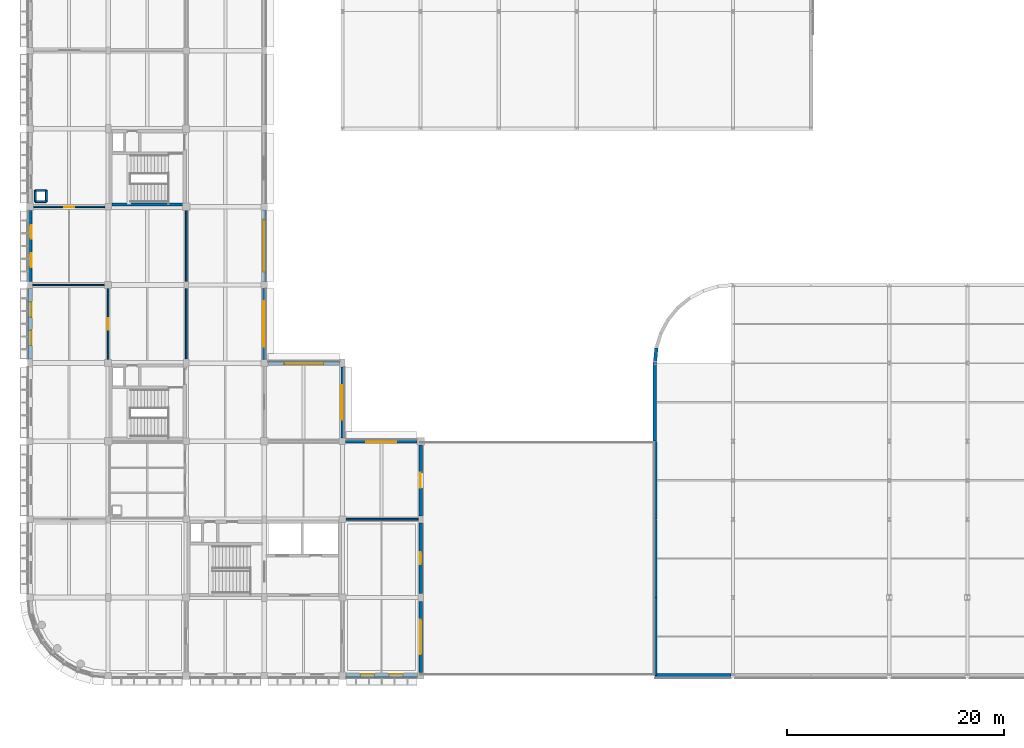
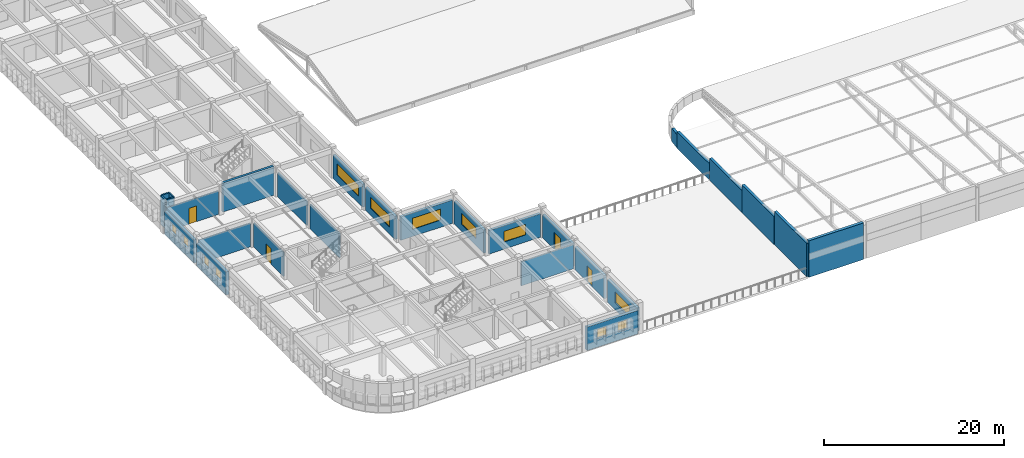
# One storey, part 82 of 103: 28 walls, 12 windows, 4 doors, 16 openings.
"""IFC4 building model written with IfcOpenShell, lengths in metres."""

from ifc_helpers import new_model, si_unit, direction, frame, frame_2d, origin, place, context, subcontext, project, spatial, rectangle, extrude, material, layer, layer_set, type_object, element, fill, save


model = new_model("IFC4")

# Units and contexts
model_context = context("Model", 3, precision=1e-05, world=origin(), true_north=direction((0.0, 1.0)))
body_context = subcontext(model_context, "Body", "Model", "MODEL_VIEW")
ifc_project = project(units=[si_unit("LENGTHUNIT", "METRE"), si_unit("AREAUNIT", "SQUARE_METRE"), si_unit("VOLUMEUNIT", "CUBIC_METRE"), si_unit("PLANEANGLEUNIT", "RADIAN"), si_unit("MASSUNIT", "GRAM", prefix="KILO")], contexts=[model_context])

# Site, building, storey
site_placement = place(None, origin())
site = spatial("IfcSite", under=ifc_project, at=site_placement, CompositionType="ELEMENT")
building_placement = place(site_placement, origin())
building = spatial("IfcBuilding", under=site, at=building_placement, Name="Thalmaran Polytechnic", CompositionType="ELEMENT")
storey_placement = place(building_placement, frame((0.0, 0.0, 14.39990234375)))
storey = spatial("IfcBuildingStorey", under=building, at=storey_placement, Name="L03", CompositionType="ELEMENT", Elevation=14.39990234375)

# Walls
ifc_material_1 = material(Name="Precast concrete C40/50", Category="concrete")
ifc_layer_1 = layer(ifc_material_1, 0.360107421875, Name="Precast concrete C40/50")
ifc_layer_set_1 = layer_set([ifc_layer_1], Name="Precast concrete C40/50")
wall_type_1 = type_object("IfcWallType", Name="WL-EW01", PredefinedType="STANDARD", material=ifc_layer_set_1)
wall_1_placement = place(storey_placement, frame((57.610107421875, 0.0, -0.02001953125), z_axis=(0.0, 0.0, 1.0), x_axis=(1.0, 0.0, 0.0)))
element("IfcWall", 1, at=wall_1_placement, inside=storey, type_object=wall_type_1, Name="Lecture Auditorium Acoustic South Wall 08", PredefinedType="STANDARD", context=body_context, shape_type="SweptSolid", body=[
    extrude(rectangle(XDim=6.989990234375, YDim=0.3798828125, at=frame_2d((3.4951171875, 0.0))), origin(), (0.0, 0.0, 1.0), 4.9501953125),
])
wall_2_placement = place(storey_placement, frame((57.60009765625, 7.18994140625, 0.0), z_axis=(0.0, 0.0, 1.0), x_axis=(0.0, -1.0, 0.0)))
element("IfcWall", 2, at=wall_2_placement, inside=storey, type_object=wall_type_1, Name="Lecture Auditorium West Raked Cheek Wall 00", PredefinedType="STANDARD", context=body_context, shape_type="SweptSolid", body=[
    extrude(rectangle(XDim=7.179931640625, YDim=0.340087890625, at=frame_2d((3.58984375, 0.0))), origin(), (0.0, 0.0, 1.0), 4.525146484375),
])
wall_3_placement = place(storey_placement, frame((57.60009765625, 14.389892578125, 0.0), z_axis=(0.0, 0.0, 1.0), x_axis=(0.0, -1.0, 0.0)))
element("IfcWall", 3, at=wall_3_placement, inside=storey, type_object=wall_type_1, Name="Lecture Auditorium West Raked Cheek Wall 01", PredefinedType="STANDARD", context=body_context, shape_type="SweptSolid", body=[
    extrude(rectangle(XDim=7.179931640625, YDim=0.340087890625, at=frame_2d((3.58984375, 0.0))), origin(), (0.0, 0.0, 1.0), 3.755126953125),
])
wall_4_placement = place(storey_placement, frame((57.60009765625, 21.590087890625, 0.0), z_axis=(0.0, 0.0, 1.0), x_axis=(0.0, -1.0, 0.0)))
element("IfcWall", 4, at=wall_4_placement, inside=storey, type_object=wall_type_1, Name="Lecture Auditorium West Raked Cheek Wall 02", PredefinedType="STANDARD", context=body_context, shape_type="SweptSolid", body=[
    extrude(rectangle(XDim=7.18017578125, YDim=0.340087890625, at=frame_2d((3.590087890625, 0.0))), origin(), (0.0, 0.0, 1.0), 2.985107421875),
])

# Wall, openings, windows
wall_5_placement = place(storey_placement, frame((0.0, 29.175048828125, 0.0), z_axis=(0.0, 0.0, 1.0), x_axis=(0.0, 1.0, 0.0)))
wall_5 = element("IfcWall", 5, at=wall_5_placement, inside=storey, type_object=wall_type_1, Name="Exterior Precast Facade Wall L03-033", PredefinedType="STANDARD", context=body_context, shape_type="SweptSolid", body=[
    extrude(rectangle(XDim=6.5048828125, YDim=0.360107421875, at=frame_2d((3.25244140625, 0.0))), origin(), (0.0, 0.0, 1.0), 3.135009765625),
])
opening_1_placement = place(wall_5_placement, frame((1.25146484375, 0.0, 1.14990234375)))
opening_1 = element("IfcOpeningElement", 6, at=opening_1_placement, cuts=wall_5, Name="Opening VW10", PredefinedType="OPENING", context=body_context, shape_type="SweptSolid", body=[
    extrude(rectangle(XDim=1.39990234375, YDim=1.300048828125, at=frame_2d((0.699951171875, 0.64990234375))), frame((0.0, 0.18994140625, 0.0), z_axis=(0.0, -1.0, 0.0), x_axis=(1.0, 0.0, 0.0)), (0.0, 0.0, 1.0), 0.380126953125),
])
opening_2_placement = place(wall_5_placement, frame((3.853515625, 0.0, 1.14990234375)))
opening_2 = element("IfcOpeningElement", 7, at=opening_2_placement, cuts=wall_5, Name="Opening VW10", PredefinedType="OPENING", context=body_context, shape_type="SweptSolid", body=[
    extrude(rectangle(XDim=1.39990234375, YDim=1.300048828125, at=frame_2d((0.699951171875, 0.64990234375))), frame((0.0, 0.18994140625, 0.0), z_axis=(0.0, -1.0, 0.0), x_axis=(1.0, 0.0, 0.0)), (0.0, 0.0, 1.0), 0.380126953125),
])
ifc_material_2 = material(Name="Thermally broken aluminium and double low-E glass", Category="aluminium")
window_type_1 = type_object("IfcWindowType", Name="WN-VZ10", PartitioningType="SINGLE_PANEL", PredefinedType="WINDOW", material=ifc_material_2)
window_1_placement = place(opening_1_placement, origin())
window_1 = element("IfcWindow", 8, at=window_1_placement, inside=storey, type_object=window_type_1, Name="Deep-Set Solar-Screened Window W-0426", OverallHeight=1.300048828125, OverallWidth=1.39990234375, PartitioningType="SINGLE_PANEL", PredefinedType="WINDOW", context=body_context, shape_type="SweptSolid", body=[
    extrude(rectangle(XDim=1.39990234375, YDim=1.300048828125, at=frame_2d((0.699951171875, 0.64990234375))), frame((0.0, -0.080078125, 0.0), z_axis=(0.0, -1.0, 0.0), x_axis=(1.0, 0.0, 0.0)), (0.0, 0.0, 1.0), 0.06005859375),
])
fill(opening_1, window_1)
window_2_placement = place(opening_2_placement, origin())
window_2 = element("IfcWindow", 9, at=window_2_placement, inside=storey, type_object=window_type_1, Name="Deep-Set Solar-Screened Window W-0427", OverallHeight=1.300048828125, OverallWidth=1.39990234375, PartitioningType="SINGLE_PANEL", PredefinedType="WINDOW", context=body_context, shape_type="SweptSolid", body=[
    extrude(rectangle(XDim=1.39990234375, YDim=1.300048828125, at=frame_2d((0.699951171875, 0.64990234375))), frame((0.0, -0.080078125, 0.0), z_axis=(0.0, -1.0, 0.0), x_axis=(1.0, 0.0, 0.0)), (0.0, 0.0, 1.0), 0.06005859375),
])
fill(opening_2, window_2)

wall_6_placement = place(storey_placement, frame((0.0, 36.320068359375, 0.0), z_axis=(0.0, 0.0, 1.0), x_axis=(0.0, 1.0, 0.0)))
wall_6 = element("IfcWall", 10, at=wall_6_placement, inside=storey, type_object=wall_type_1, Name="Exterior Precast Facade Wall L03-034", PredefinedType="STANDARD", context=body_context, shape_type="SweptSolid", body=[
    extrude(rectangle(XDim=6.5400390625, YDim=0.360107421875, at=frame_2d((3.27001953125, 0.0))), origin(), (0.0, 0.0, 1.0), 3.135009765625),
])
opening_3_placement = place(wall_6_placement, frame((1.3369140625, 0.0, 1.14990234375)))
opening_3 = element("IfcOpeningElement", 11, at=opening_3_placement, cuts=wall_6, Name="Opening VW11", PredefinedType="OPENING", context=body_context, shape_type="SweptSolid", body=[
    extrude(rectangle(XDim=1.25, YDim=1.25, at=frame_2d((0.625, 0.625))), frame((0.0, 0.18994140625, 0.0), z_axis=(0.0, -1.0, 0.0), x_axis=(1.0, 0.0, 0.0)), (0.0, 0.0, 1.0), 0.380126953125),
])
opening_4_placement = place(wall_6_placement, frame((3.952880859375, 0.0, 1.14990234375)))
opening_4 = element("IfcOpeningElement", 12, at=opening_4_placement, cuts=wall_6, Name="Opening VW11", PredefinedType="OPENING", context=body_context, shape_type="SweptSolid", body=[
    extrude(rectangle(XDim=1.25, YDim=1.25, at=frame_2d((0.625, 0.625))), frame((0.0, 0.18994140625, 0.0), z_axis=(0.0, -1.0, 0.0), x_axis=(1.0, 0.0, 0.0)), (0.0, 0.0, 1.0), 0.380126953125),
])
window_type_2 = type_object("IfcWindowType", Name="WN-VZ11", PartitioningType="SINGLE_PANEL", PredefinedType="WINDOW", material=ifc_material_2)
window_3_placement = place(opening_3_placement, origin())
window_3 = element("IfcWindow", 13, at=window_3_placement, inside=storey, type_object=window_type_2, Name="Deep-Set Solar-Screened Window W-0428", OverallHeight=1.25, OverallWidth=1.25, PartitioningType="SINGLE_PANEL", PredefinedType="WINDOW", context=body_context, shape_type="SweptSolid", body=[
    extrude(rectangle(XDim=1.25, YDim=1.25, at=frame_2d((0.625, 0.625))), frame((0.0, -0.080078125, 0.0), z_axis=(0.0, -1.0, 0.0), x_axis=(1.0, 0.0, 0.0)), (0.0, 0.0, 1.0), 0.06005859375),
])
fill(opening_3, window_3)
window_4_placement = place(opening_4_placement, origin())
window_4 = element("IfcWindow", 14, at=window_4_placement, inside=storey, type_object=window_type_2, Name="Deep-Set Solar-Screened Window W-0429", OverallHeight=1.25, OverallWidth=1.25, PartitioningType="SINGLE_PANEL", PredefinedType="WINDOW", context=body_context, shape_type="SweptSolid", body=[
    extrude(rectangle(XDim=1.25, YDim=1.25, at=frame_2d((0.625, 0.625))), frame((0.0, -0.080078125, 0.0), z_axis=(0.0, -1.0, 0.0), x_axis=(1.0, 0.0, 0.0)), (0.0, 0.0, 1.0), 0.06005859375),
])
fill(opening_4, window_4)

wall_7_placement = place(storey_placement, frame((35.699951171875, 0.0, 0.0), z_axis=(0.0, 0.0, 1.0), x_axis=(-1.0, 0.0, 0.0)))
wall_7 = element("IfcWall", 15, at=wall_7_placement, inside=storey, type_object=wall_type_1, Name="Exterior Precast Facade Wall L03-104", PredefinedType="STANDARD", context=body_context, shape_type="SweptSolid", body=[
    extrude(rectangle(XDim=6.56005859375, YDim=0.360107421875, at=frame_2d((3.280029296875, 0.0))), origin(), (0.0, 0.0, 1.0), 3.18505859375),
])
opening_5_placement = place(wall_7_placement, frame((1.343017578125, 0.0, 1.14990234375)))
opening_5 = element("IfcOpeningElement", 16, at=opening_5_placement, cuts=wall_7, Name="Opening VW11", PredefinedType="OPENING", context=body_context, shape_type="SweptSolid", body=[
    extrude(rectangle(XDim=1.25, YDim=1.25, at=frame_2d((0.625, 0.625))), frame((0.0, 0.18994140625, 0.0), z_axis=(0.0, -1.0, 0.0), x_axis=(1.0, 0.0, 0.0)), (0.0, 0.0, 1.0), 0.380126953125),
])
opening_6_placement = place(wall_7_placement, frame((3.967041015625, 0.0, 1.14990234375)))
opening_6 = element("IfcOpeningElement", 17, at=opening_6_placement, cuts=wall_7, Name="Opening VW11", PredefinedType="OPENING", context=body_context, shape_type="SweptSolid", body=[
    extrude(rectangle(XDim=1.25, YDim=1.25, at=frame_2d((0.625, 0.625))), frame((0.0, 0.18994140625, 0.0), z_axis=(0.0, -1.0, 0.0), x_axis=(1.0, 0.0, 0.0)), (0.0, 0.0, 1.0), 0.380126953125),
])
window_5_placement = place(opening_5_placement, origin())
window_5 = element("IfcWindow", 18, at=window_5_placement, inside=storey, type_object=window_type_2, Name="Deep-Set Solar-Screened Window W-0517", OverallHeight=1.25, OverallWidth=1.25, PartitioningType="SINGLE_PANEL", PredefinedType="WINDOW", context=body_context, shape_type="SweptSolid", body=[
    extrude(rectangle(XDim=1.25, YDim=1.25, at=frame_2d((0.625, 0.625))), frame((0.0, -0.080078125, 0.0), z_axis=(0.0, -1.0, 0.0), x_axis=(1.0, 0.0, 0.0)), (0.0, 0.0, 1.0), 0.06005859375),
])
fill(opening_5, window_5)
window_6_placement = place(opening_6_placement, origin())
window_6 = element("IfcWindow", 19, at=window_6_placement, inside=storey, type_object=window_type_2, Name="Deep-Set Solar-Screened Window W-0518", OverallHeight=1.25, OverallWidth=1.25, PartitioningType="SINGLE_PANEL", PredefinedType="WINDOW", context=body_context, shape_type="SweptSolid", body=[
    extrude(rectangle(XDim=1.25, YDim=1.25, at=frame_2d((0.625, 0.625))), frame((0.0, -0.080078125, 0.0), z_axis=(0.0, -1.0, 0.0), x_axis=(1.0, 0.0, 0.0)), (0.0, 0.0, 1.0), 0.06005859375),
])
fill(opening_6, window_6)

# Walls
ifc_layer_2 = layer(ifc_material_1, 0.330078125, Name="Precast concrete C40/50")
ifc_layer_set_2 = layer_set([ifc_layer_2], Name="Precast concrete C40/50")
wall_type_2 = type_object("IfcWallType", Name="WL-EW02", PredefinedType="STANDARD", material=ifc_layer_set_2)
wall_8_placement = place(storey_placement, frame((57.60009765625, 28.800048828125, -0.02001953125), z_axis=(0.0, 0.0, 1.0), x_axis=(0.097910739351, 0.995195200511, 0.0)))
element("IfcWall", 20, at=wall_8_placement, inside=storey, type_object=wall_type_2, Name="Lecture Auditorium Curved Corner Wall 8", PredefinedType="STANDARD", context=body_context, shape_type="SweptSolid", body=[
    extrude(rectangle(XDim=1.411376953125, YDim=0.320068359375, at=frame_2d((0.70556640625, 0.0))), origin(), (0.0, 0.0, 1.0), 1.794921875),
])
wall_9_placement = place(storey_placement, frame((57.60009765625, 28.7900390625, -0.02001953125), z_axis=(0.0, 0.0, 1.0), x_axis=(0.0, -1.0, 0.0)))
element("IfcWall", 21, at=wall_9_placement, inside=storey, type_object=wall_type_2, Name="Lecture Auditorium Raked West Cheek Wall 03", PredefinedType="STANDARD", context=body_context, shape_type="SweptSolid", body=[
    extrude(rectangle(XDim=7.179931640625, YDim=0.320068359375, at=frame_2d((3.58984375, 0.0))), origin(), (0.0, 0.0, 1.0), 2.235107421875),
])

# Wall, opening, door
wall_10_placement = place(storey_placement, frame((36.0, 21.260009765625, 0.0), z_axis=(0.0, 0.0, 1.0), x_axis=(0.0, -1.0, 0.0)))
wall_10 = element("IfcWall", 22, at=wall_10_placement, inside=storey, type_object=wall_type_2, Name="Terrace Access Wall L03-101", PredefinedType="STANDARD", context=body_context, shape_type="SweptSolid", body=[
    extrude(rectangle(XDim=6.5400390625, YDim=0.330078125, at=frame_2d((3.27001953125, 0.0))), origin(), (0.0, 0.0, 1.0), 3.135009765625),
])
opening_7_placement = place(wall_10_placement, frame((2.570068359375, 0.0, 0.0)))
opening_7 = element("IfcOpeningElement", 23, at=opening_7_placement, cuts=wall_10, Name="Opening TD-007", PredefinedType="OPENING", context=body_context, shape_type="SweptSolid", body=[
    extrude(rectangle(XDim=1.39990234375, YDim=2.25, at=frame_2d((0.699951171875, 1.125))), frame((0.0, 0.175048828125, 0.0), z_axis=(0.0, -1.0, 0.0), x_axis=(1.0, 0.0, 0.0)), (0.0, 0.0, 1.0), 0.35009765625),
])
ifc_material_3 = material(Name="Anodised aluminium and safety glass", Category="aluminium")
door_type_1 = type_object("IfcDoorType", Name="DR-TD01", OperationType="NOTDEFINED", PredefinedType="DOOR", material=ifc_material_3)
door_1_placement = place(opening_7_placement, origin())
door_1 = element("IfcDoor", 24, at=door_1_placement, inside=storey, type_object=door_type_1, Name="Terrace Access Door TD-007", OperationType="SINGLE_SWING_LEFT", OverallHeight=2.25, OverallWidth=1.39990234375, PredefinedType="DOOR", context=body_context, shape_type="SweptSolid", body=[
    extrude(rectangle(XDim=1.39990234375, YDim=2.25, at=frame_2d((0.699951171875, 1.125))), frame((0.0, 0.02490234375, 0.0), z_axis=(0.0, -1.0, 0.0), x_axis=(1.0, 0.0, 0.0)), (0.0, 0.0, 1.0), 0.050048828125),
])
fill(opening_7, door_1)

wall_11_placement = place(storey_placement, frame((36.0, 14.080078125, 0.0), z_axis=(0.0, 0.0, 1.0), x_axis=(0.0, -1.0, 0.0)))
wall_11 = element("IfcWall", 25, at=wall_11_placement, inside=storey, type_object=wall_type_2, Name="Terrace Access Wall L03-102", PredefinedType="STANDARD", context=body_context, shape_type="SweptSolid", body=[
    extrude(rectangle(XDim=6.505126953125, YDim=0.330078125, at=frame_2d((3.25244140625, 0.0))), origin(), (0.0, 0.0, 1.0), 3.135009765625),
])
opening_8_placement = place(wall_11_placement, frame((2.702392578125, 0.0, 0.0)))
opening_8 = element("IfcOpeningElement", 26, at=opening_8_placement, cuts=wall_11, Name="Opening TD-008", PredefinedType="OPENING", context=body_context, shape_type="SweptSolid", body=[
    extrude(rectangle(XDim=1.10009765625, YDim=2.199951171875, at=frame_2d((0.550048828125, 1.10009765625))), frame((0.0, 0.175048828125, 0.0), z_axis=(0.0, -1.0, 0.0), x_axis=(1.0, 0.0, 0.0)), (0.0, 0.0, 1.0), 0.35009765625),
])
door_type_2 = type_object("IfcDoorType", Name="DR-TD02", OperationType="NOTDEFINED", PredefinedType="DOOR", material=ifc_material_3)
door_2_placement = place(opening_8_placement, origin())
door_2 = element("IfcDoor", 27, at=door_2_placement, inside=storey, type_object=door_type_2, Name="Terrace Access Door TD-008", OperationType="SINGLE_SWING_RIGHT", OverallHeight=2.199951171875, OverallWidth=1.10009765625, PredefinedType="DOOR", context=body_context, shape_type="SweptSolid", body=[
    extrude(rectangle(XDim=1.10009765625, YDim=2.199951171875, at=frame_2d((0.550048828125, 1.10009765625))), frame((0.0, 0.02490234375, 0.0), z_axis=(0.0, -1.0, 0.0), x_axis=(1.0, 0.0, 0.0)), (0.0, 0.0, 1.0), 0.050048828125),
])
fill(opening_8, door_2)

# Wall, opening, window
wall_12_placement = place(storey_placement, frame((36.0, 6.824951171875, 0.0), z_axis=(0.0, 0.0, 1.0), x_axis=(0.0, -1.0, 0.0)))
wall_12 = element("IfcWall", 28, at=wall_12_placement, inside=storey, type_object=wall_type_2, Name="Terrace Access Wall L03-103", PredefinedType="STANDARD", context=body_context, shape_type="SweptSolid", body=[
    extrude(rectangle(XDim=6.52490234375, YDim=0.330078125, at=frame_2d((3.262451171875, 0.0))), origin(), (0.0, 0.0, 1.0), 3.135009765625),
])
opening_9_placement = place(wall_12_placement, frame((1.66259765625, 0.0, 0.949951171875)))
opening_9 = element("IfcOpeningElement", 29, at=opening_9_placement, cuts=wall_12, Name="Opening RW04", PredefinedType="OPENING", context=body_context, shape_type="SweptSolid", body=[
    extrude(rectangle(XDim=3.199951171875, YDim=1.449951171875, at=frame_2d((1.60009765625, 0.72509765625))), frame((0.0, 0.175048828125, 0.0), z_axis=(0.0, -1.0, 0.0), x_axis=(1.0, 0.0, 0.0)), (0.0, 0.0, 1.0), 0.35009765625),
])
window_type_3 = type_object("IfcWindowType", Name="WN-RW04", PartitioningType="DOUBLE_PANEL_VERTICAL", PredefinedType="WINDOW", material=ifc_material_2)
window_7_placement = place(opening_9_placement, origin())
window_7 = element("IfcWindow", 30, at=window_7_placement, inside=storey, type_object=window_type_3, Name="Terrace Ribbon Window W-0516", OverallHeight=1.449951171875, OverallWidth=3.199951171875, PartitioningType="SINGLE_PANEL", PredefinedType="WINDOW", context=body_context, shape_type="SweptSolid", body=[
    extrude(rectangle(XDim=3.199951171875, YDim=1.449951171875, at=frame_2d((1.60009765625, 0.72509765625))), frame((0.0, 0.030029296875, 0.0), z_axis=(0.0, -1.0, 0.0), x_axis=(1.0, 0.0, 0.0)), (0.0, 0.0, 1.0), 0.06005859375),
])
fill(opening_9, window_7)

ifc_layer_3 = layer(ifc_material_1, 0.31005859375, Name="Precast concrete C40/50")
ifc_layer_set_3 = layer_set([ifc_layer_3], Name="Precast concrete C40/50")
wall_type_3 = type_object("IfcWallType", Name="WL-EW03", PredefinedType="STANDARD", material=ifc_layer_set_3)
wall_13_placement = place(storey_placement, frame((21.60009765625, 42.89990234375, 0.0), z_axis=(0.0, 0.0, 1.0), x_axis=(0.0, -1.0, 0.0)))
wall_13 = element("IfcWall", 31, at=wall_13_placement, inside=storey, type_object=wall_type_3, Name="Exterior Precast Facade Wall L03-096", PredefinedType="STANDARD", context=body_context, shape_type="SweptSolid", body=[
    extrude(rectangle(XDim=6.58984375, YDim=0.31005859375, at=frame_2d((3.294921875, 0.0))), origin(), (0.0, 0.0, 1.0), 3.135009765625),
])
opening_10_placement = place(wall_13_placement, frame((0.89501953125, 0.0, 0.97998046875)))
opening_10 = element("IfcOpeningElement", 32, at=opening_10_placement, cuts=wall_13, Name="Opening RW01", PredefinedType="OPENING", context=body_context, shape_type="SweptSolid", body=[
    extrude(rectangle(XDim=4.800048828125, YDim=1.5, at=frame_2d((2.39990234375, 0.75))), frame((0.0, 0.1650390625, 0.0), z_axis=(0.0, -1.0, 0.0), x_axis=(1.0, 0.0, 0.0)), (0.0, 0.0, 1.0), 0.330078125),
])
window_type_4 = type_object("IfcWindowType", Name="WN-RW01", PartitioningType="TRIPLE_PANEL_HORIZONTAL", PredefinedType="WINDOW", material=ifc_material_2)
window_8_placement = place(opening_10_placement, origin())
window_8 = element("IfcWindow", 33, at=window_8_placement, inside=storey, type_object=window_type_4, Name="Streamline Ribbon Window W-0511", OverallHeight=1.5, OverallWidth=4.800048828125, PartitioningType="SINGLE_PANEL", PredefinedType="WINDOW", context=body_context, shape_type="SweptSolid", body=[
    extrude(rectangle(XDim=4.800048828125, YDim=1.5, at=frame_2d((2.39990234375, 0.75))), frame((0.0, -0.030029296875, 0.0), z_axis=(0.0, -1.0, 0.0), x_axis=(1.0, 0.0, 0.0)), (0.0, 0.0, 1.0), 0.06005859375),
])
fill(opening_10, window_8)

wall_14_placement = place(storey_placement, frame((21.60009765625, 35.68994140625, 0.0), z_axis=(0.0, 0.0, 1.0), x_axis=(0.0, -1.0, 0.0)))
wall_14 = element("IfcWall", 34, at=wall_14_placement, inside=storey, type_object=wall_type_3, Name="Exterior Precast Facade Wall L03-097", PredefinedType="STANDARD", context=body_context, shape_type="SweptSolid", body=[
    extrude(rectangle(XDim=6.56494140625, YDim=0.31005859375, at=frame_2d((3.282470703125, 0.0))), origin(), (0.0, 0.0, 1.0), 3.135009765625),
])
opening_11_placement = place(wall_14_placement, frame((1.1826171875, 0.0, 0.97998046875)))
opening_11 = element("IfcOpeningElement", 35, at=opening_11_placement, cuts=wall_14, Name="Opening RW02", PredefinedType="OPENING", context=body_context, shape_type="SweptSolid", body=[
    extrude(rectangle(XDim=4.199951171875, YDim=1.5, at=frame_2d((2.10009765625, 0.75))), frame((0.0, 0.1650390625, 0.0), z_axis=(0.0, -1.0, 0.0), x_axis=(1.0, 0.0, 0.0)), (0.0, 0.0, 1.0), 0.330078125),
])
window_type_5 = type_object("IfcWindowType", Name="WN-RW02", PartitioningType="TRIPLE_PANEL_HORIZONTAL", PredefinedType="WINDOW", material=ifc_material_2)
window_9_placement = place(opening_11_placement, origin())
window_9 = element("IfcWindow", 36, at=window_9_placement, inside=storey, type_object=window_type_5, Name="Streamline Ribbon Window W-0512", OverallHeight=1.5, OverallWidth=4.199951171875, PartitioningType="SINGLE_PANEL", PredefinedType="WINDOW", context=body_context, shape_type="SweptSolid", body=[
    extrude(rectangle(XDim=4.199951171875, YDim=1.5, at=frame_2d((2.10009765625, 0.75))), frame((0.0, -0.030029296875, 0.0), z_axis=(0.0, -1.0, 0.0), x_axis=(1.0, 0.0, 0.0)), (0.0, 0.0, 1.0), 0.06005859375),
])
fill(opening_11, window_9)

wall_15_placement = place(storey_placement, frame((21.925048828125, 28.800048828125, 0.0), z_axis=(0.0, 0.0, 1.0), x_axis=(1.0, 0.0, 0.0)))
wall_15 = element("IfcWall", 37, at=wall_15_placement, inside=storey, type_object=wall_type_3, Name="Exterior Precast Facade Wall L03-098", PredefinedType="STANDARD", context=body_context, shape_type="SweptSolid", body=[
    extrude(rectangle(XDim=6.625, YDim=0.31005859375, at=frame_2d((3.3125, 0.0))), origin(), (0.0, 0.0, 1.0), 3.18505859375),
])
opening_12_placement = place(wall_15_placement, frame((1.512451171875, 0.0, 0.97998046875)))
opening_12 = element("IfcOpeningElement", 38, at=opening_12_placement, cuts=wall_15, Name="Opening RW03", PredefinedType="OPENING", context=body_context, shape_type="SweptSolid", body=[
    extrude(rectangle(XDim=3.60009765625, YDim=1.5, at=frame_2d((1.800048828125, 0.75))), frame((0.0, 0.1650390625, 0.0), z_axis=(0.0, -1.0, 0.0), x_axis=(1.0, 0.0, 0.0)), (0.0, 0.0, 1.0), 0.330078125),
])
window_type_6 = type_object("IfcWindowType", Name="WN-RW03", PartitioningType="DOUBLE_PANEL_VERTICAL", PredefinedType="WINDOW", material=ifc_material_2)
window_10_placement = place(opening_12_placement, origin())
window_10 = element("IfcWindow", 39, at=window_10_placement, inside=storey, type_object=window_type_6, Name="Streamline Ribbon Window W-0513", OverallHeight=1.5, OverallWidth=3.60009765625, PartitioningType="SINGLE_PANEL", PredefinedType="WINDOW", context=body_context, shape_type="SweptSolid", body=[
    extrude(rectangle(XDim=3.60009765625, YDim=1.5, at=frame_2d((1.800048828125, 0.75))), frame((0.0, -0.030029296875, 0.0), z_axis=(0.0, -1.0, 0.0), x_axis=(1.0, 0.0, 0.0)), (0.0, 0.0, 1.0), 0.06005859375),
])
fill(opening_12, window_10)

wall_16_placement = place(storey_placement, frame((28.800048828125, 28.425048828125, 0.0), z_axis=(0.0, 0.0, 1.0), x_axis=(0.0, -1.0, 0.0)))
wall_16 = element("IfcWall", 40, at=wall_16_placement, inside=storey, type_object=wall_type_3, Name="Exterior Precast Facade Wall L03-099", PredefinedType="STANDARD", context=body_context, shape_type="SweptSolid", body=[
    extrude(rectangle(XDim=6.525146484375, YDim=0.31005859375, at=frame_2d((3.2626953125, 0.0))), origin(), (0.0, 0.0, 1.0), 3.135009765625),
])
opening_13_placement = place(wall_16_placement, frame((1.66259765625, 0.0, 0.97998046875)))
opening_13 = element("IfcOpeningElement", 41, at=opening_13_placement, cuts=wall_16, Name="Opening RW04", PredefinedType="OPENING", context=body_context, shape_type="SweptSolid", body=[
    extrude(rectangle(XDim=3.199951171875, YDim=1.449951171875, at=frame_2d((1.60009765625, 0.72509765625))), frame((0.0, 0.1650390625, 0.0), z_axis=(0.0, -1.0, 0.0), x_axis=(1.0, 0.0, 0.0)), (0.0, 0.0, 1.0), 0.330078125),
])
window_11_placement = place(opening_13_placement, origin())
window_11 = element("IfcWindow", 42, at=window_11_placement, inside=storey, type_object=window_type_3, Name="Streamline Ribbon Window W-0514", OverallHeight=1.449951171875, OverallWidth=3.199951171875, PartitioningType="SINGLE_PANEL", PredefinedType="WINDOW", context=body_context, shape_type="SweptSolid", body=[
    extrude(rectangle(XDim=3.199951171875, YDim=1.449951171875, at=frame_2d((1.60009765625, 0.72509765625))), frame((0.0, -0.030029296875, 0.0), z_axis=(0.0, -1.0, 0.0), x_axis=(1.0, 0.0, 0.0)), (0.0, 0.0, 1.0), 0.06005859375),
])
fill(opening_13, window_11)

wall_17_placement = place(storey_placement, frame((29.10009765625, 21.60009765625, 0.0), z_axis=(0.0, 0.0, 1.0), x_axis=(1.0, 0.0, 0.0)))
wall_17 = element("IfcWall", 43, at=wall_17_placement, inside=storey, type_object=wall_type_3, Name="Exterior Precast Facade Wall L03-100", PredefinedType="STANDARD", context=body_context, shape_type="SweptSolid", body=[
    extrude(rectangle(XDim=6.559814453125, YDim=0.31005859375, at=frame_2d((3.27978515625, 0.0))), origin(), (0.0, 0.0, 1.0), 3.18505859375),
])
opening_14_placement = place(wall_17_placement, frame((1.8798828125, 0.0, 0.97998046875)))
opening_14 = element("IfcOpeningElement", 44, at=opening_14_placement, cuts=wall_17, Name="Opening RW05", PredefinedType="OPENING", context=body_context, shape_type="SweptSolid", body=[
    extrude(rectangle(XDim=2.800048828125, YDim=1.449951171875, at=frame_2d((1.39990234375, 0.72509765625))), frame((0.0, 0.1650390625, 0.0), z_axis=(0.0, -1.0, 0.0), x_axis=(1.0, 0.0, 0.0)), (0.0, 0.0, 1.0), 0.330078125),
])
window_type_7 = type_object("IfcWindowType", Name="WN-RW05", PartitioningType="DOUBLE_PANEL_VERTICAL", PredefinedType="WINDOW", material=ifc_material_2)
window_12_placement = place(opening_14_placement, origin())
window_12 = element("IfcWindow", 45, at=window_12_placement, inside=storey, type_object=window_type_7, Name="Streamline Ribbon Window W-0515", OverallHeight=1.449951171875, OverallWidth=2.800048828125, PartitioningType="SINGLE_PANEL", PredefinedType="WINDOW", context=body_context, shape_type="SweptSolid", body=[
    extrude(rectangle(XDim=2.800048828125, YDim=1.449951171875, at=frame_2d((1.39990234375, 0.72509765625))), frame((0.0, -0.030029296875, 0.0), z_axis=(0.0, -1.0, 0.0), x_axis=(1.0, 0.0, 0.0)), (0.0, 0.0, 1.0), 0.06005859375),
])
fill(opening_14, window_12)

# Walls
ifc_material_4 = material(Name="Autoclaved aerated masonry", Category="masonry")
ifc_layer_4 = layer(ifc_material_4, 0.179931640625, Name="Autoclaved aerated masonry")
ifc_layer_set_4 = layer_set([ifc_layer_4], Name="Autoclaved aerated masonry")
wall_type_4 = type_object("IfcWallType", Name="WL-IW04", PredefinedType="PARTITIONING", material=ifc_layer_set_4)
for number, where, z_axis, x_axis, name in (
    (46, (0.489990234375, 43.68994140625, 0.0), (0.0, 0.0, 1.0), (1.0, 0.0, 0.0), "Fume Exhaust Riser Shaft Wall L03 (0,6)-S"),
    (47, (1.510009765625, 43.68994140625, 0.0), (0.0, 0.0, 1.0), (0.0, 1.0, 0.0), "Fume Exhaust Riser Shaft Wall L03 (0,6)-E"),
    (48, (1.510009765625, 44.7099609375, 0.0), (0.0, 0.0, 1.0), (-1.0, 0.0, 0.0), "Fume Exhaust Riser Shaft Wall L03 (0,6)-N"),
    (49, (0.489990234375, 44.7099609375, 0.0), (0.0, 0.0, 1.0), (0.0, -1.0, 0.0), "Fume Exhaust Riser Shaft Wall L03 (0,6)-W"),
):
    element("IfcWall", number, at=place(storey_placement, frame(where, z_axis=z_axis, x_axis=x_axis)), inside=storey, type_object=wall_type_4, Name=name, PredefinedType="PARTITIONING", context=body_context, shape_type="SweptSolid", body=[
        extrude(rectangle(XDim=1.02001953125, YDim=0.179931640625, at=frame_2d((0.510009765625, 0.0))), origin(), (0.0, 0.0, 1.0), 3.940185546875),
    ])
ifc_material_5 = material(Name="Gypsum acoustic partition")
ifc_layer_5 = layer(ifc_material_5, 0.159912109375, Name="Gypsum acoustic partition")
ifc_layer_set_5 = layer_set([ifc_layer_5], Name="Gypsum acoustic partition")
wall_type_5 = type_object("IfcWallType", Name="WL-IW05", PredefinedType="PARTITIONING", material=ifc_layer_set_5)
wall_18_placement = place(storey_placement, frame((14.39990234375, 29.179931640625, 0.0), z_axis=(0.0, 0.0, 1.0), x_axis=(0.0, 1.0, 0.0)))
element("IfcWall", 50, at=wall_18_placement, inside=storey, type_object=wall_type_5, Name="Interior Partition IW05 L03-012", PredefinedType="PARTITIONING", context=body_context, shape_type="SweptSolid", body=[
    extrude(rectangle(XDim=6.4951171875, YDim=0.159912109375, at=frame_2d((3.24755859375, 0.0))), origin(), (0.0, 0.0, 1.0), 3.30517578125),
])
wall_19_placement = place(storey_placement, frame((14.39990234375, 36.324951171875, 0.0), z_axis=(0.0, 0.0, 1.0), x_axis=(0.0, 1.0, 0.0)))
element("IfcWall", 51, at=wall_19_placement, inside=storey, type_object=wall_type_5, Name="Interior Partition IW05 L03-013", PredefinedType="PARTITIONING", context=body_context, shape_type="SweptSolid", body=[
    extrude(rectangle(XDim=6.530029296875, YDim=0.159912109375, at=frame_2d((3.26513671875, 0.0))), origin(), (0.0, 0.0, 1.0), 3.255126953125),
])
wall_20_placement = place(storey_placement, frame((29.114990234375, 14.39990234375, 0.0), z_axis=(0.0, 0.0, 1.0), x_axis=(1.0, 0.0, 0.0)))
element("IfcWall", 52, at=wall_20_placement, inside=storey, type_object=wall_type_5, Name="Interior Partition IW05 L03-034", PredefinedType="PARTITIONING", context=body_context, shape_type="SweptSolid", body=[
    extrude(rectangle(XDim=6.669921875, YDim=0.159912109375, at=frame_2d((3.3349609375, 0.0))), origin(), (0.0, 0.0, 1.0), 3.2900390625),
])

# Wall, opening, door
ifc_layer_6 = layer(ifc_material_5, 0.1298828125, Name="Gypsum acoustic partition")
ifc_layer_set_6 = layer_set([ifc_layer_6], Name="Gypsum acoustic partition")
wall_type_6 = type_object("IfcWallType", Name="WL-IW07", PredefinedType="PARTITIONING", material=ifc_layer_set_6)
wall_21_placement = place(storey_placement, frame((7.199951171875, 29.1298828125, 0.0), z_axis=(0.0, 0.0, 1.0), x_axis=(0.0, 1.0, 0.0)))
wall_21 = element("IfcWall", 53, at=wall_21_placement, inside=storey, type_object=wall_type_6, Name="Interior Partition IW07 L03-002", PredefinedType="PARTITIONING", context=body_context, shape_type="SweptSolid", body=[
    extrude(rectangle(XDim=6.55517578125, YDim=0.1298828125, at=frame_2d((3.277587890625, 0.0))), origin(), (0.0, 0.0, 1.0), 3.30517578125),
])
opening_15_placement = place(wall_21_placement, frame((2.7275390625, 0.0, 0.0)))
opening_15 = element("IfcOpeningElement", 54, at=opening_15_placement, cuts=wall_21, Name="Opening D-L03-005-1-05-1", PredefinedType="OPENING", context=body_context, shape_type="SweptSolid", body=[
    extrude(rectangle(XDim=1.10009765625, YDim=2.14990234375, at=frame_2d((0.550048828125, 1.074951171875))), frame((0.0, 0.074951171875, 0.0), z_axis=(0.0, -1.0, 0.0), x_axis=(1.0, 0.0, 0.0)), (0.0, 0.0, 1.0), 0.14990234375),
])
ifc_material_6 = material(Name="Powder-coated fire-rated steel", Category="steel")
door_type_3 = type_object("IfcDoorType", Name="DR-FD07", OperationType="NOTDEFINED", PredefinedType="DOOR", material=ifc_material_6)
door_3_placement = place(opening_15_placement, origin())
door_3 = element("IfcDoor", 55, at=door_3_placement, inside=storey, type_object=door_type_3, Name="Academic Department Suite L03-05 Door 1", OperationType="SINGLE_SWING_LEFT", OverallHeight=2.14990234375, OverallWidth=1.10009765625, PredefinedType="DOOR", context=body_context, shape_type="SweptSolid", body=[
    extrude(rectangle(XDim=1.10009765625, YDim=2.14990234375, at=frame_2d((0.550048828125, 1.074951171875))), frame((0.0, 0.02490234375, 0.0), z_axis=(0.0, -1.0, 0.0), x_axis=(1.0, 0.0, 0.0)), (0.0, 0.0, 1.0), 0.050048828125),
])
fill(opening_15, door_3)

wall_22_placement = place(storey_placement, frame((0.344970703125, 43.199951171875, 0.0), z_axis=(0.0, 0.0, 1.0), x_axis=(1.0, 0.0, 0.0)))
wall_22 = element("IfcWall", 56, at=wall_22_placement, inside=storey, type_object=wall_type_6, Name="Interior Partition IW07 L03-004", PredefinedType="PARTITIONING", context=body_context, shape_type="SweptSolid", body=[
    extrude(rectangle(XDim=6.550048828125, YDim=0.1298828125, at=frame_2d((3.27490234375, 0.0))), origin(), (0.0, 0.0, 1.0), 3.215087890625),
])
opening_16_placement = place(wall_22_placement, frame((2.800048828125, 0.0, 0.0)))
opening_16 = element("IfcOpeningElement", 57, at=opening_16_placement, cuts=wall_22, Name="Opening D-L03-006-1-06-1", PredefinedType="OPENING", context=body_context, shape_type="SweptSolid", body=[
    extrude(rectangle(XDim=0.949951171875, YDim=2.14990234375, at=frame_2d((0.47509765625, 1.074951171875))), frame((0.0, 0.074951171875, 0.0), z_axis=(0.0, -1.0, 0.0), x_axis=(1.0, 0.0, 0.0)), (0.0, 0.0, 1.0), 0.14990234375),
])
door_type_4 = type_object("IfcDoorType", Name="DR-FD08", OperationType="NOTDEFINED", PredefinedType="DOOR", material=ifc_material_6)
door_4_placement = place(opening_16_placement, origin())
door_4 = element("IfcDoor", 58, at=door_4_placement, inside=storey, type_object=door_type_4, Name="Fluid Mechanics Laboratory L03-06 Door 1", OperationType="SINGLE_SWING_RIGHT", OverallHeight=2.14990234375, OverallWidth=0.949951171875, PredefinedType="DOOR", context=body_context, shape_type="SweptSolid", body=[
    extrude(rectangle(XDim=0.949951171875, YDim=2.14990234375, at=frame_2d((0.47509765625, 1.074951171875))), frame((0.0, 0.02490234375, 0.0), z_axis=(0.0, -1.0, 0.0), x_axis=(1.0, 0.0, 0.0)), (0.0, 0.0, 1.0), 0.050048828125),
])
fill(opening_16, door_4)

# Walls
ifc_layer_7 = layer(ifc_material_5, 0.114990234375, Name="Gypsum acoustic partition")
ifc_layer_set_7 = layer_set([ifc_layer_7], Name="Gypsum acoustic partition")
wall_type_7 = type_object("IfcWallType", Name="WL-IW08", PredefinedType="PARTITIONING", material=ifc_layer_set_7)
wall_23_placement = place(storey_placement, frame((0.215087890625, 36.0, 0.0), z_axis=(0.0, 0.0, 1.0), x_axis=(1.0, 0.0, 0.0)))
element("IfcWall", 59, at=wall_23_placement, inside=storey, type_object=wall_type_7, Name="Interior Partition IW08 L03-003", PredefinedType="PARTITIONING", context=body_context, shape_type="SweptSolid", body=[
    extrude(rectangle(XDim=6.669921875, YDim=0.114990234375, at=frame_2d((3.3349609375, 0.0))), origin(), (0.0, 0.0, 1.0), 3.215087890625),
])
ifc_material_7 = material(Name="Concrete C50/60", Category="concrete")
ifc_layer_8 = layer(ifc_material_7, 0.300048828125, Name="Concrete C50/60")
ifc_layer_set_8 = layer_set([ifc_layer_8], Name="Concrete C50/60")
wall_type_8 = type_object("IfcWallType", Name="WL-SW04", PredefinedType="SHEAR", material=ifc_layer_set_8)
wall_24_placement = place(storey_placement, frame((7.570068359375, 43.419921875, 0.0), z_axis=(0.0, 0.0, 1.0), x_axis=(1.0, 0.0, 0.0)))
element("IfcWall", 60, at=wall_24_placement, inside=storey, type_object=wall_type_8, Name="Core C4 South Shear Wall L03", PredefinedType="SHEAR", context=body_context, shape_type="SweptSolid", body=[
    extrude(rectangle(XDim=6.5400390625, YDim=0.300048828125, at=frame_2d((3.27001953125, 0.0))), origin(), (0.0, 0.0, 1.0), 3.940185546875),
])

save(model, "model.ifc")
